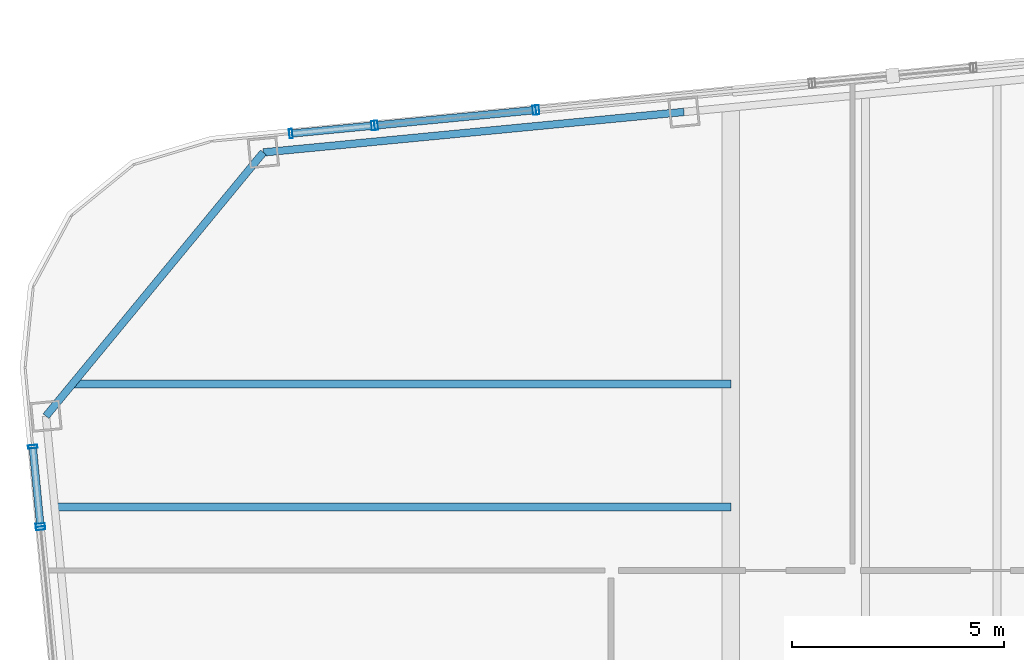
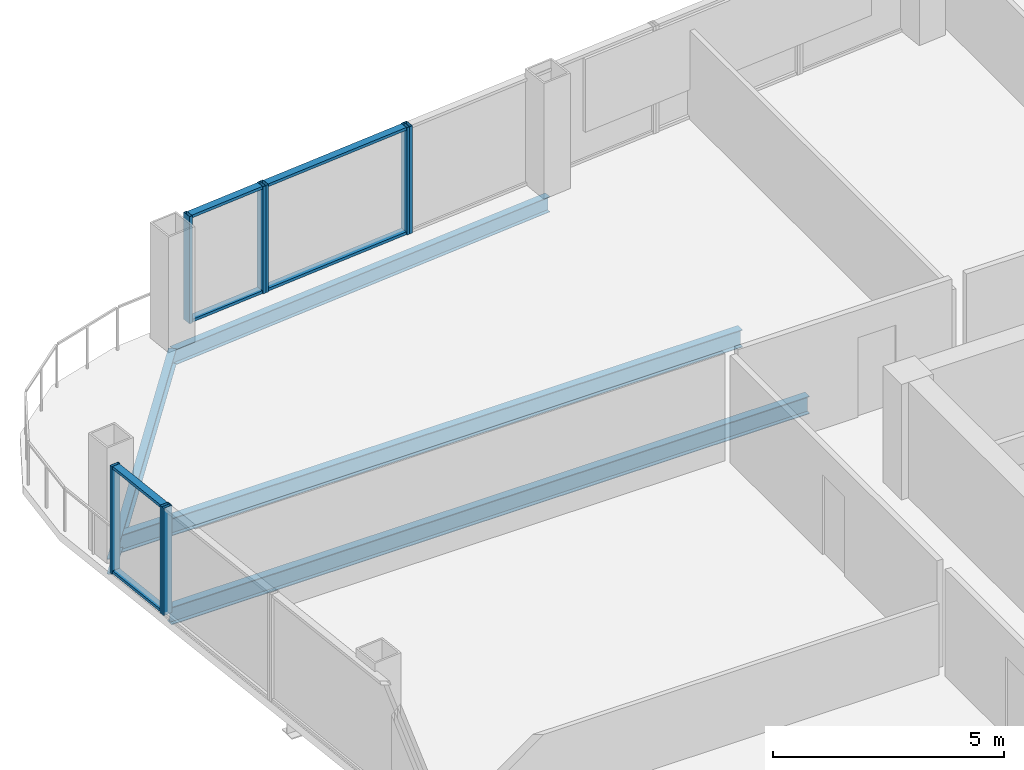
# One storey, part 12 of 22: 14 members, 4 beams, 5 elements without a shape of their own.
"""IFC4 building model written with IfcOpenShell, lengths in metres."""

from ifc_helpers import new_model, si_unit, direction, frame, origin, origin_2d, place, context, subcontext, project, spatial, hollow_rectangle, i_section, extrude, material, layer, layer_set, material_profile, profile_set, type_object, element, aggregate, save


model = new_model("IFC4")

# Units and contexts
model_context = context("Model", 3, precision=1e-05, world=origin(), true_north=direction((0.0, 1.0)))
body_context = subcontext(model_context, "Body", "Model", "MODEL_VIEW")
ifc_project = project(units=[si_unit("LENGTHUNIT", "METRE"), si_unit("AREAUNIT", "SQUARE_METRE"), si_unit("VOLUMEUNIT", "CUBIC_METRE"), si_unit("PLANEANGLEUNIT", "RADIAN"), si_unit("MASSUNIT", "GRAM", prefix="KILO")], contexts=[model_context])

# Site, building, storey
site_placement = place(None, origin())
site = spatial("IfcSite", under=ifc_project, at=site_placement, CompositionType="ELEMENT")
building_placement = place(site_placement, origin())
building = spatial("IfcBuilding", under=site, at=building_placement, Name="Qhalaya Broadcast Tower", CompositionType="ELEMENT")
storey_placement = place(building_placement, frame((0.0, 0.0, 174.449951171875)))
storey = spatial("IfcBuildingStorey", under=building, at=storey_placement, Name="L51", CompositionType="ELEMENT", Elevation=174.449951171875)

# Beams
ifc_material_1 = material(Name="Structural Steel ASTM A992 Grade 50", Category="steel")
ifc_material_profile_1 = material_profile(ifc_material_1, i_section(OverallWidth=0.19189453125, OverallDepth=0.462890625, WebThickness=0.010498046875, FlangeThickness=0.017578125, at=origin_2d()), Name="W18X60")
ifc_profile_set_1 = profile_set([ifc_material_profile_1], Name="Structural Steel ASTM A992 Grade 50")
beam_type_1 = type_object("IfcBeamType", Name="Composite Floor Joist J03", PredefinedType="JOIST", material=ifc_profile_set_1)
beam_1_placement = place(storey_placement, frame((-25.301513671875, 14.300048828125, -0.451416015625), z_axis=(1.0, 0.0, 0.0), x_axis=(0.0, 1.0, 0.0)))
element("IfcBeam", 1, at=beam_1_placement, inside=storey, type_object=beam_type_1, Name="L51 J03 L51-JWE6W-1", PredefinedType="JOIST", context=body_context, shape_type="SweptSolid", body=[
    extrude(i_section(OverallWidth=0.19189453125, OverallDepth=0.462890625, WebThickness=0.010498046875, FlangeThickness=0.017578125, at=origin_2d()), origin(), (0.0, 0.0, 1.0), 15.926513671875),
])
beam_2_placement = place(storey_placement, frame((-24.876953125, 17.199951171875, -0.451416015625), z_axis=(1.0, 0.0, 0.0), x_axis=(0.0, 1.0, 0.0)))
element("IfcBeam", 2, at=beam_2_placement, inside=storey, type_object=beam_type_1, Name="L51 J03 L51-JWE7W-1", PredefinedType="JOIST", context=body_context, shape_type="SweptSolid", body=[
    extrude(i_section(OverallWidth=0.19189453125, OverallDepth=0.462890625, WebThickness=0.010498046875, FlangeThickness=0.017578125, at=origin_2d()), origin(), (0.0, 0.0, 1.0), 15.501953125),
])

# Curtain wall, member
ifc_material_2 = material(Name="Fired Architectural Terracotta", Category="masonry")
ifc_layer_1 = layer(ifc_material_2, 0.219970703125, Name="Fired Architectural Terracotta")
ifc_layer_set_1 = layer_set([ifc_layer_1], Name="Fired Architectural Terracotta")
curtain_wall_type_1 = type_object("IfcCurtainWallType", Name="Block-Cap Unitised Terracotta Spandrel Wall CW-07", PredefinedType="NOTDEFINED", material=ifc_layer_set_1)
curtain_wall_1_placement = place(storey_placement, origin())
curtain_wall_1 = element("IfcCurtainWall", 3, at=curtain_wall_1_placement, inside=storey, type_object=curtain_wall_type_1, Name="L51 Unitised Curtain Wall L51-CW-N5", PredefinedType="NOTDEFINED")
ifc_material_3 = material(Name="Anodised Aluminium 6063-T6", Category="aluminium")
ifc_material_profile_2 = material_profile(ifc_material_3, hollow_rectangle(XDim=0.074951171875, YDim=0.219970703125, WallThickness=0.00390625, at=origin_2d()), Name="ALU-MUL 75x220x4")
ifc_profile_set_2 = profile_set([ifc_material_profile_2], Name="Anodised Aluminium 6063-T6")
member_type_1 = type_object("IfcMemberType", Name="Unitised Curtain-Wall Mullion M01", PredefinedType="MULLION", material=ifc_profile_set_2)
member_1_placement = place(storey_placement, frame((-13.935302734375, 23.666259765625, 0.0), z_axis=(0.0, 0.0, 1.0), x_axis=(-0.995396255089, -0.095845163439, 0.0)))
member_1 = element("IfcMember", 4, at=member_1_placement, type_object=member_type_1, Name="CW-07 mullion 2", PredefinedType="MULLION", context=body_context, shape_type="SweptSolid", body=[
    extrude(hollow_rectangle(XDim=0.074951171875, YDim=0.219970703125, WallThickness=0.00390625, at=origin_2d()), origin(), (0.0, 0.0, 1.0), 2.830078125),
])
aggregate(curtain_wall_1, [member_1])

# Curtain wall, members
ifc_material_4 = material(Name="Solar-Control Low-E Triple Glazing", Category="glass")
ifc_layer_2 = layer(ifc_material_4, 0.219970703125, Name="Solar-Control Low-E Triple Glazing")
ifc_layer_set_2 = layer_set([ifc_layer_2], Name="Solar-Control Low-E Triple Glazing")
curtain_wall_type_2 = type_object("IfcCurtainWallType", Name="Even-Block 4-Storey Double-Module Curtain Wall CW-03", PredefinedType="NOTDEFINED", material=ifc_layer_set_2)
curtain_wall_2_placement = place(storey_placement, origin())
curtain_wall_2 = element("IfcCurtainWall", 5, at=curtain_wall_2_placement, inside=storey, type_object=curtain_wall_type_2, Name="L51 Unitised Curtain Wall L51-CW-N6", PredefinedType="NOTDEFINED")
member_2_placement = place(storey_placement, frame((-14.010009765625, 23.6591796875, 0.0), z_axis=(0.0, 0.0, 1.0), x_axis=(-0.995396841683, -0.095839071198, 0.0)))
member_2 = element("IfcMember", 6, at=member_2_placement, type_object=member_type_1, Name="CW-03 mullion 1", PredefinedType="MULLION", context=body_context, shape_type="SweptSolid", body=[
    extrude(hollow_rectangle(XDim=0.074951171875, YDim=0.219970703125, WallThickness=0.00390625, at=origin_2d()), origin(), (0.0, 0.0, 1.0), 2.830078125),
])
member_3_placement = place(storey_placement, frame((-17.73876953125, 23.300048828125, 0.0), z_axis=(0.0, 0.0, 1.0), x_axis=(-0.995396841683, -0.095839071198, 0.0)))
member_3 = element("IfcMember", 7, at=member_3_placement, type_object=member_type_1, Name="CW-03 mullion 2", PredefinedType="MULLION", context=body_context, shape_type="SweptSolid", body=[
    extrude(hollow_rectangle(XDim=0.074951171875, YDim=0.219970703125, WallThickness=0.00390625, at=origin_2d()), origin(), (0.0, 0.0, 1.0), 2.830078125),
])

curtain_wall_3_placement = place(storey_placement, origin())
curtain_wall_3 = element("IfcCurtainWall", 8, at=curtain_wall_3_placement, inside=storey, type_object=curtain_wall_type_1, Name="L51 Unitised Curtain Wall L51-CW-N7", PredefinedType="NOTDEFINED")
member_4_placement = place(storey_placement, frame((-17.8134765625, 23.29296875, 0.0), z_axis=(0.0, 0.0, 1.0), x_axis=(-0.995396068977, -0.095847096282, 0.0)))
member_4 = element("IfcMember", 9, at=member_4_placement, type_object=member_type_1, Name="CW-07 mullion 1", PredefinedType="MULLION", context=body_context, shape_type="SweptSolid", body=[
    extrude(hollow_rectangle(XDim=0.074951171875, YDim=0.219970703125, WallThickness=0.00390625, at=origin_2d()), origin(), (0.0, 0.0, 1.0), 2.830078125),
])
member_5_placement = place(storey_placement, frame((-19.75244140625, 23.106201171875, 0.0), z_axis=(0.0, 0.0, 1.0), x_axis=(-0.995396068977, -0.095847096282, 0.0)))
member_5 = element("IfcMember", 10, at=member_5_placement, type_object=member_type_1, Name="CW-07 mullion 2", PredefinedType="MULLION", context=body_context, shape_type="SweptSolid", body=[
    extrude(hollow_rectangle(XDim=0.074951171875, YDim=0.219970703125, WallThickness=0.00390625, at=origin_2d()), origin(), (0.0, 0.0, 1.0), 2.830078125),
])

curtain_wall_4_placement = place(storey_placement, origin())
curtain_wall_4 = element("IfcCurtainWall", 11, at=curtain_wall_4_placement, inside=storey, type_object=curtain_wall_type_1, Name="L51 Unitised Curtain Wall L51-CW-W1", PredefinedType="NOTDEFINED")
member_6_placement = place(storey_placement, frame((-25.840087890625, 15.72119140625, 0.0), z_axis=(0.0, 0.0, 1.0), x_axis=(0.095861254071, -0.995394705616, 0.0)))
member_6 = element("IfcMember", 12, at=member_6_placement, type_object=member_type_1, Name="CW-07 mullion 1", PredefinedType="MULLION", context=body_context, shape_type="SweptSolid", body=[
    extrude(hollow_rectangle(XDim=0.074951171875, YDim=0.219970703125, WallThickness=0.00390625, at=origin_2d()), origin(), (0.0, 0.0, 1.0), 2.830078125),
])
member_7_placement = place(storey_placement, frame((-25.662109375, 13.871826171875, 0.0), z_axis=(0.0, 0.0, 1.0), x_axis=(0.095861254071, -0.995394705616, 0.0)))
member_7 = element("IfcMember", 13, at=member_7_placement, type_object=member_type_1, Name="CW-07 mullion 2", PredefinedType="MULLION", context=body_context, shape_type="SweptSolid", body=[
    extrude(hollow_rectangle(XDim=0.074951171875, YDim=0.219970703125, WallThickness=0.00390625, at=origin_2d()), origin(), (0.0, 0.0, 1.0), 2.830078125),
])

# Curtain wall, member
curtain_wall_5_placement = place(storey_placement, origin())
curtain_wall_5 = element("IfcCurtainWall", 14, at=curtain_wall_5_placement, inside=storey, type_object=curtain_wall_type_2, Name="L51 Unitised Curtain Wall L51-CW-W2", PredefinedType="NOTDEFINED")
member_8_placement = place(storey_placement, frame((-25.65478515625, 13.797119140625, 0.0), z_axis=(0.0, 0.0, 1.0), x_axis=(0.095850516284, -0.995395739657, 0.0)))
member_8 = element("IfcMember", 15, at=member_8_placement, type_object=member_type_1, Name="CW-03 mullion 1", PredefinedType="MULLION", context=body_context, shape_type="SweptSolid", body=[
    extrude(hollow_rectangle(XDim=0.074951171875, YDim=0.219970703125, WallThickness=0.00390625, at=origin_2d()), origin(), (0.0, 0.0, 1.0), 2.830078125),
])
aggregate(curtain_wall_5, [member_8])

# Member
ifc_material_profile_3 = material_profile(ifc_material_3, hollow_rectangle(XDim=0.074951171875, YDim=0.179931640625, WallThickness=0.00390625, at=origin_2d()), Name="ALU-TRN 75x180x4")
ifc_profile_set_3 = profile_set([ifc_material_profile_3], Name="Anodised Aluminium 6063-T6")
member_type_2 = type_object("IfcMemberType", Name="Unitised Curtain-Wall Transom T01", PredefinedType="USERDEFINED", material=ifc_profile_set_3)
member_9_placement = place(storey_placement, frame((-14.04736328125, 23.655517578125, 0.03759765625), z_axis=(-0.99539720199, -0.095835328928, 0.0), x_axis=(0.0, 0.0, 1.0)))
member_9 = element("IfcMember", 16, at=member_9_placement, type_object=member_type_2, Name="CW-03 transom 1.1", ObjectType="TRANSOM", PredefinedType="USERDEFINED", context=body_context, shape_type="SweptSolid", body=[
    extrude(hollow_rectangle(XDim=0.074951171875, YDim=0.179931640625, WallThickness=0.00390625, at=origin_2d()), origin(), (0.0, 0.0, 1.0), 3.6708984375),
])

member_10_placement = place(storey_placement, frame((-14.04736328125, 23.655517578125, 2.79248046875), z_axis=(-0.99539720199, -0.095835328928, 0.0), x_axis=(0.0, 0.0, 1.0)))
member_10 = element("IfcMember", 17, at=member_10_placement, type_object=member_type_2, Name="CW-03 transom 1.2", ObjectType="TRANSOM", PredefinedType="USERDEFINED", context=body_context, shape_type="SweptSolid", body=[
    extrude(hollow_rectangle(XDim=0.074951171875, YDim=0.179931640625, WallThickness=0.00390625, at=origin_2d()), origin(), (0.0, 0.0, 1.0), 3.6708984375),
])

aggregate(curtain_wall_2, [member_2, member_3, member_9, member_10])

member_11_placement = place(storey_placement, frame((-17.850830078125, 23.289306640625, 0.03759765625), z_axis=(-0.995399470742, -0.095811761524, 0.0), x_axis=(0.0, 0.0, 1.0)))
member_11 = element("IfcMember", 18, at=member_11_placement, type_object=member_type_2, Name="CW-07 transom 1.1", ObjectType="TRANSOM", PredefinedType="USERDEFINED", context=body_context, shape_type="SweptSolid", body=[
    extrude(hollow_rectangle(XDim=0.074951171875, YDim=0.179931640625, WallThickness=0.00390625, at=origin_2d()), origin(), (0.0, 0.0, 1.0), 1.872802734375),
])

member_12_placement = place(storey_placement, frame((-17.850830078125, 23.289306640625, 2.79248046875), z_axis=(-0.995399470742, -0.095811761524, 0.0), x_axis=(0.0, 0.0, 1.0)))
member_12 = element("IfcMember", 19, at=member_12_placement, type_object=member_type_2, Name="CW-07 transom 1.2", ObjectType="TRANSOM", PredefinedType="USERDEFINED", context=body_context, shape_type="SweptSolid", body=[
    extrude(hollow_rectangle(XDim=0.074951171875, YDim=0.179931640625, WallThickness=0.00390625, at=origin_2d()), origin(), (0.0, 0.0, 1.0), 1.872802734375),
])

aggregate(curtain_wall_3, [member_4, member_5, member_11, member_12])

member_13_placement = place(storey_placement, frame((-25.836669921875, 15.683837890625, 0.03759765625), z_axis=(0.095842852043, -0.995396477647, 0.0), x_axis=(0.0, 0.0, 1.0)))
member_13 = element("IfcMember", 20, at=member_13_placement, type_object=member_type_2, Name="CW-07 transom 1.1", ObjectType="TRANSOM", PredefinedType="USERDEFINED", context=body_context, shape_type="SweptSolid", body=[
    extrude(hollow_rectangle(XDim=0.074951171875, YDim=0.179931640625, WallThickness=0.00390625, at=origin_2d()), origin(), (0.0, 0.0, 1.0), 1.783203125),
])

member_14_placement = place(storey_placement, frame((-25.836669921875, 15.683837890625, 2.79248046875), z_axis=(0.095842852043, -0.995396477647, 0.0), x_axis=(0.0, 0.0, 1.0)))
member_14 = element("IfcMember", 21, at=member_14_placement, type_object=member_type_2, Name="CW-07 transom 1.2", ObjectType="TRANSOM", PredefinedType="USERDEFINED", context=body_context, shape_type="SweptSolid", body=[
    extrude(hollow_rectangle(XDim=0.074951171875, YDim=0.179931640625, WallThickness=0.00390625, at=origin_2d()), origin(), (0.0, 0.0, 1.0), 1.783203125),
])

aggregate(curtain_wall_4, [member_6, member_7, member_13, member_14])

# Beams
ifc_material_profile_4 = material_profile(ifc_material_1, i_section(OverallWidth=0.177978515625, OverallDepth=0.406005859375, WebThickness=0.0078125, FlangeThickness=0.0126953125, at=origin_2d()), Name="W16X40")
ifc_profile_set_4 = profile_set([ifc_material_profile_4], Name="Structural Steel ASTM A992 Grade 50")
beam_type_2 = type_object("IfcBeamType", Name="Upper Perimeter Spandrel Beam SP2", PredefinedType="SPANDREL", material=ifc_profile_set_4)
beam_3_placement = place(storey_placement, frame((-10.4794921875, 23.6171875, -0.4228515625), z_axis=(-0.995398071879, -0.095826293365, 0.0), x_axis=(0.095826293365, -0.995398071879, 0.0)))
element("IfcBeam", 22, at=beam_3_placement, inside=storey, type_object=beam_type_2, Name="L51 SP2 L51-SPR-11", PredefinedType="SPANDREL", context=body_context, shape_type="SweptSolid", body=[
    extrude(i_section(OverallWidth=0.177978515625, OverallDepth=0.406005859375, WebThickness=0.0078125, FlangeThickness=0.0126953125, at=origin_2d()), origin(), (0.0, 0.0, 1.0), 9.966796875),
])
beam_4_placement = place(storey_placement, frame((-20.400390625, 22.662109375, -0.4228515625), z_axis=(-0.636070241972, -0.771631160126, 0.0), x_axis=(0.771631160126, -0.636070241972, 0.0)))
element("IfcBeam", 23, at=beam_4_placement, inside=storey, type_object=beam_type_2, Name="L51 SP2 L51-SPR-12", PredefinedType="SPANDREL", context=body_context, shape_type="SweptSolid", body=[
    extrude(i_section(OverallWidth=0.177978515625, OverallDepth=0.406005859375, WebThickness=0.0078125, FlangeThickness=0.0126953125, at=origin_2d()), origin(), (0.0, 0.0, 1.0), 8.06103515625),
])

save(model, "model.ifc")
